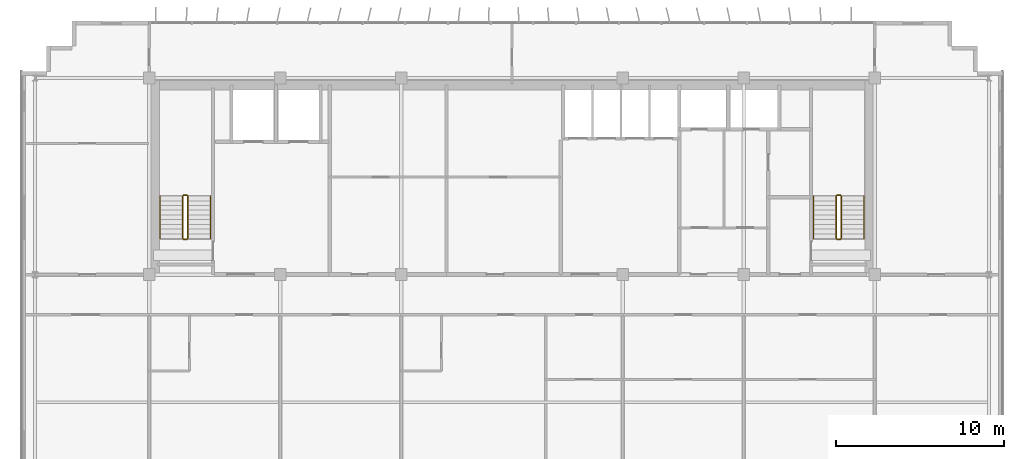
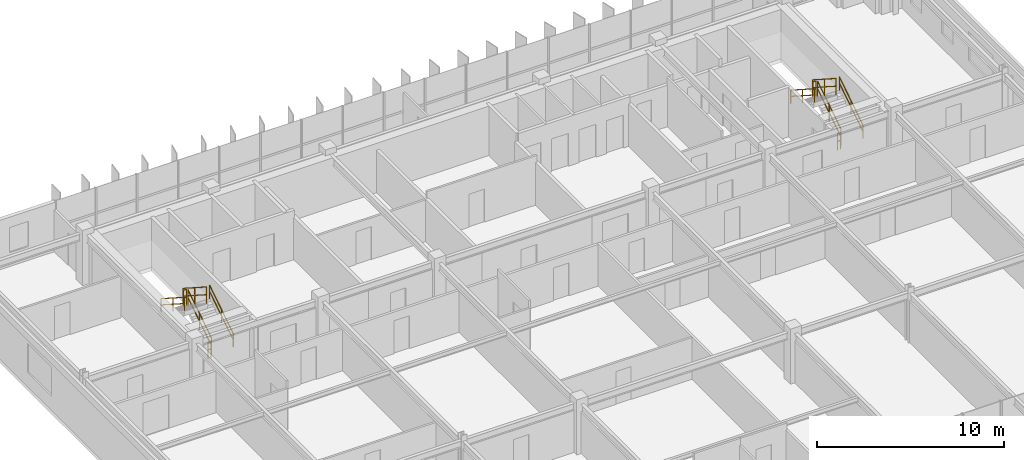
# One storey, part 27 of 27: 12 railings.
"""IFC4 building model written with IfcOpenShell, lengths in metres."""

from ifc_helpers import new_model, si_unit, direction, frame, origin, origin_2d, place, context, subcontext, project, spatial, rectangle, extrude, material, type_object, element, save


model = new_model("IFC4")

# Units and contexts
model_context = context("Model", 3, precision=1e-05, world=origin(), true_north=direction((0.0, 1.0)))
body_context = subcontext(model_context, "Body", "Model", "MODEL_VIEW")
ifc_project = project(units=[si_unit("LENGTHUNIT", "METRE"), si_unit("AREAUNIT", "SQUARE_METRE"), si_unit("VOLUMEUNIT", "CUBIC_METRE"), si_unit("PLANEANGLEUNIT", "RADIAN"), si_unit("MASSUNIT", "GRAM", prefix="KILO")], contexts=[model_context])

# Site, building, storey
site_placement = place(None, origin())
site = spatial("IfcSite", under=ifc_project, at=site_placement, CompositionType="ELEMENT")
building_placement = place(site_placement, origin())
building = spatial("IfcBuilding", under=site, at=building_placement, Name="Trelvane Seafront Commons", CompositionType="ELEMENT")
storey_placement = place(building_placement, frame((0.0, 0.0, 237.300048828125)))
storey = spatial("IfcBuildingStorey", under=building, at=storey_placement, Name="L62", CompositionType="ELEMENT", Elevation=237.300048828125)

# Railings
ifc_material = material(Name="Stainless steel balustrade", Category="steel")
railing_type_1 = type_object("IfcRailingType", Name="ARCH-SRL-GUARD", PredefinedType="GUARDRAIL", material=ifc_material)
railing_1_placement = place(storey_placement, frame((17.89990234375, 35.550048828125, 0.179931640625)))
element("IfcRailing", 1, at=railing_1_placement, inside=storey, type_object=railing_type_1, Name="L62 ST-1 stair guard 1", PredefinedType="GUARDRAIL", context=body_context, shape_type="SweptSolid", body=[
    extrude(rectangle(XDim=0.048095703125, YDim=0.048095703125, at=origin_2d()), frame((0.0, 0.0, 1.076171875), z_axis=(0.0, 0.841162588446, 0.540782303519), x_axis=(-1.0, 0.0, 0.0)), (0.0, 0.0, 1.0), 2.995849609375),
    extrude(rectangle(XDim=0.048095703125, YDim=0.048095703125, at=origin_2d()), frame((0.0, 0.0, 0.572021484375), z_axis=(0.0, 0.841162588446, 0.540782303519), x_axis=(-1.0, 0.0, 0.0)), (0.0, 0.0, 1.0), 2.995849609375),
    extrude(rectangle(XDim=0.0419921875, YDim=0.0419921875, at=origin_2d()), origin(), (0.0, 0.0, 1.0), 1.076171875),
    extrude(rectangle(XDim=0.0419921875, YDim=0.0419921875, at=origin_2d()), frame((0.0, 1.260009765625, 0.81005859375)), (0.0, 0.0, 1.0), 1.076171875),
    extrude(rectangle(XDim=0.0419921875, YDim=0.0419921875, at=origin_2d()), frame((0.0, 2.52001953125, 1.6201171875)), (0.0, 0.0, 1.0), 1.076171875),
])
railing_2_placement = place(storey_placement, frame((17.85009765625, 38.1201171875, 1.800048828125)))
element("IfcRailing", 2, at=railing_2_placement, inside=storey, type_object=railing_type_1, Name="L62 ST-1 stair guard 2", PredefinedType="GUARDRAIL", context=body_context, shape_type="SweptSolid", body=[
    extrude(rectangle(XDim=0.048095703125, YDim=0.048095703125, at=origin_2d()), frame((0.0, 0.0, 1.076171875), z_axis=(-1.0, 0.0, 0.0), x_axis=(0.0, -1.0, 0.0)), (0.0, 0.0, 1.0), 0.2001953125),
    extrude(rectangle(XDim=0.048095703125, YDim=0.048095703125, at=origin_2d()), frame((0.0, 0.0, 0.572021484375), z_axis=(-1.0, 0.0, 0.0), x_axis=(0.0, -1.0, 0.0)), (0.0, 0.0, 1.0), 0.2001953125),
    extrude(rectangle(XDim=0.0419921875, YDim=0.0419921875, at=origin_2d()), origin(), (0.0, 0.0, 1.0), 1.076171875),
    extrude(rectangle(XDim=0.0419921875, YDim=0.0419921875, at=origin_2d()), frame((-0.2001953125, 0.0, 0.0)), (0.0, 0.0, 1.0), 1.076171875),
])
railing_3_placement = place(storey_placement, frame((17.60009765625, 38.070068359375, 1.97998046875)))
element("IfcRailing", 3, at=railing_3_placement, inside=storey, type_object=railing_type_1, Name="L62 ST-1 stair guard 3", PredefinedType="GUARDRAIL", context=body_context, shape_type="SweptSolid", body=[
    extrude(rectangle(XDim=0.048095703125, YDim=0.048095703125, at=origin_2d()), frame((0.0, 0.0, 1.076171875), z_axis=(0.0, -0.841199657755, 0.540724639528), x_axis=(1.0, 0.0, 0.0)), (0.0, 0.0, 1.0), 2.995849609375),
    extrude(rectangle(XDim=0.048095703125, YDim=0.048095703125, at=origin_2d()), frame((0.0, 0.0, 0.572021484375), z_axis=(0.0, -0.841199657755, 0.540724639528), x_axis=(1.0, 0.0, 0.0)), (0.0, 0.0, 1.0), 2.995849609375),
    extrude(rectangle(XDim=0.0419921875, YDim=0.0419921875, at=origin_2d()), origin(), (0.0, 0.0, 1.0), 1.076171875),
    extrude(rectangle(XDim=0.0419921875, YDim=0.0419921875, at=origin_2d()), frame((0.0, -1.260009765625, 0.81005859375)), (0.0, 0.0, 1.0), 1.076171875),
    extrude(rectangle(XDim=0.0419921875, YDim=0.0419921875, at=origin_2d()), frame((0.0, -2.52001953125, 1.619873046875)), (0.0, 0.0, 1.0), 1.076171875),
])
railing_4_placement = place(storey_placement, frame((17.85009765625, 35.5, 0.0)))
element("IfcRailing", 4, at=railing_4_placement, inside=storey, type_object=railing_type_1, Name="L62 ST-1 stair guard 4", PredefinedType="GUARDRAIL", context=body_context, shape_type="SweptSolid", body=[
    extrude(rectangle(XDim=0.048095703125, YDim=0.048095703125, at=origin_2d()), frame((0.0, 0.0, 1.076171875), z_axis=(-1.0, 0.0, 0.0), x_axis=(0.0, -1.0, 0.0)), (0.0, 0.0, 1.0), 0.2001953125),
    extrude(rectangle(XDim=0.048095703125, YDim=0.048095703125, at=origin_2d()), frame((0.0, 0.0, 0.572021484375), z_axis=(-1.0, 0.0, 0.0), x_axis=(0.0, -1.0, 0.0)), (0.0, 0.0, 1.0), 0.2001953125),
    extrude(rectangle(XDim=0.0419921875, YDim=0.0419921875, at=origin_2d()), origin(), (0.0, 0.0, 1.0), 1.076171875),
    extrude(rectangle(XDim=0.0419921875, YDim=0.0419921875, at=origin_2d()), frame((-0.2001953125, 0.0, 0.0)), (0.0, 0.0, 1.0), 1.076171875),
])
railing_5_placement = place(storey_placement, frame((56.800048828125, 35.550048828125, 0.179931640625)))
element("IfcRailing", 5, at=railing_5_placement, inside=storey, type_object=railing_type_1, Name="L62 ST-2 stair guard 1", PredefinedType="GUARDRAIL", context=body_context, shape_type="SweptSolid", body=[
    extrude(rectangle(XDim=0.048095703125, YDim=0.048095703125, at=origin_2d()), frame((0.0, 0.0, 1.076171875), z_axis=(0.0, 0.841162588446, 0.540782303519), x_axis=(-1.0, 0.0, 0.0)), (0.0, 0.0, 1.0), 2.995849609375),
    extrude(rectangle(XDim=0.048095703125, YDim=0.048095703125, at=origin_2d()), frame((0.0, 0.0, 0.572021484375), z_axis=(0.0, 0.841162588446, 0.540782303519), x_axis=(-1.0, 0.0, 0.0)), (0.0, 0.0, 1.0), 2.995849609375),
    extrude(rectangle(XDim=0.0419921875, YDim=0.0419921875, at=origin_2d()), origin(), (0.0, 0.0, 1.0), 1.076171875),
    extrude(rectangle(XDim=0.0419921875, YDim=0.0419921875, at=origin_2d()), frame((0.0, 1.260009765625, 0.81005859375)), (0.0, 0.0, 1.0), 1.076171875),
    extrude(rectangle(XDim=0.0419921875, YDim=0.0419921875, at=origin_2d()), frame((0.0, 2.52001953125, 1.6201171875)), (0.0, 0.0, 1.0), 1.076171875),
])
railing_6_placement = place(storey_placement, frame((56.75, 38.1201171875, 1.800048828125)))
element("IfcRailing", 6, at=railing_6_placement, inside=storey, type_object=railing_type_1, Name="L62 ST-2 stair guard 2", PredefinedType="GUARDRAIL", context=body_context, shape_type="SweptSolid", body=[
    extrude(rectangle(XDim=0.048095703125, YDim=0.048095703125, at=origin_2d()), frame((0.0, 0.0, 1.076171875), z_axis=(-1.0, 0.0, 0.0), x_axis=(0.0, -1.0, 0.0)), (0.0, 0.0, 1.0), 0.199951171875),
    extrude(rectangle(XDim=0.048095703125, YDim=0.048095703125, at=origin_2d()), frame((0.0, 0.0, 0.572021484375), z_axis=(-1.0, 0.0, 0.0), x_axis=(0.0, -1.0, 0.0)), (0.0, 0.0, 1.0), 0.199951171875),
    extrude(rectangle(XDim=0.0419921875, YDim=0.0419921875, at=origin_2d()), origin(), (0.0, 0.0, 1.0), 1.076171875),
    extrude(rectangle(XDim=0.0419921875, YDim=0.0419921875, at=origin_2d()), frame((-0.199951171875, 0.0, 0.0)), (0.0, 0.0, 1.0), 1.076171875),
])
railing_7_placement = place(storey_placement, frame((56.5, 38.070068359375, 1.97998046875)))
element("IfcRailing", 7, at=railing_7_placement, inside=storey, type_object=railing_type_1, Name="L62 ST-2 stair guard 3", PredefinedType="GUARDRAIL", context=body_context, shape_type="SweptSolid", body=[
    extrude(rectangle(XDim=0.048095703125, YDim=0.048095703125, at=origin_2d()), frame((0.0, 0.0, 1.076171875), z_axis=(0.0, -0.841199657755, 0.540724639528), x_axis=(1.0, 0.0, 0.0)), (0.0, 0.0, 1.0), 2.995849609375),
    extrude(rectangle(XDim=0.048095703125, YDim=0.048095703125, at=origin_2d()), frame((0.0, 0.0, 0.572021484375), z_axis=(0.0, -0.841199657755, 0.540724639528), x_axis=(1.0, 0.0, 0.0)), (0.0, 0.0, 1.0), 2.995849609375),
    extrude(rectangle(XDim=0.0419921875, YDim=0.0419921875, at=origin_2d()), origin(), (0.0, 0.0, 1.0), 1.076171875),
    extrude(rectangle(XDim=0.0419921875, YDim=0.0419921875, at=origin_2d()), frame((0.0, -1.260009765625, 0.81005859375)), (0.0, 0.0, 1.0), 1.076171875),
    extrude(rectangle(XDim=0.0419921875, YDim=0.0419921875, at=origin_2d()), frame((0.0, -2.52001953125, 1.619873046875)), (0.0, 0.0, 1.0), 1.076171875),
])
railing_8_placement = place(storey_placement, frame((56.75, 35.5, 0.0)))
element("IfcRailing", 8, at=railing_8_placement, inside=storey, type_object=railing_type_1, Name="L62 ST-2 stair guard 4", PredefinedType="GUARDRAIL", context=body_context, shape_type="SweptSolid", body=[
    extrude(rectangle(XDim=0.048095703125, YDim=0.048095703125, at=origin_2d()), frame((0.0, 0.0, 1.076171875), z_axis=(-1.0, 0.0, 0.0), x_axis=(0.0, -1.0, 0.0)), (0.0, 0.0, 1.0), 0.199951171875),
    extrude(rectangle(XDim=0.048095703125, YDim=0.048095703125, at=origin_2d()), frame((0.0, 0.0, 0.572021484375), z_axis=(-1.0, 0.0, 0.0), x_axis=(0.0, -1.0, 0.0)), (0.0, 0.0, 1.0), 0.199951171875),
    extrude(rectangle(XDim=0.0419921875, YDim=0.0419921875, at=origin_2d()), origin(), (0.0, 0.0, 1.0), 1.076171875),
    extrude(rectangle(XDim=0.0419921875, YDim=0.0419921875, at=origin_2d()), frame((-0.199951171875, 0.0, 0.0)), (0.0, 0.0, 1.0), 1.076171875),
])
railing_type_2 = type_object("IfcRailingType", Name="ARCH-SRL-HAND", PredefinedType="HANDRAIL", material=ifc_material)
railing_9_placement = place(storey_placement, frame((19.25, 35.550048828125, 0.179931640625)))
element("IfcRailing", 9, at=railing_9_placement, inside=storey, type_object=railing_type_2, Name="L62 ST-1 stair handrail 1", PredefinedType="HANDRAIL", context=body_context, shape_type="SweptSolid", body=[
    extrude(rectangle(XDim=0.048095703125, YDim=0.048095703125, at=origin_2d()), frame((0.0, 0.0, 0.8759765625), z_axis=(0.0, 0.841162588446, 0.540782303519), x_axis=(-1.0, 0.0, 0.0)), (0.0, 0.0, 1.0), 2.995849609375),
    extrude(rectangle(XDim=0.048095703125, YDim=0.048095703125, at=origin_2d()), frame((0.0, 0.0, 0.468017578125), z_axis=(0.0, 0.841162588446, 0.540782303519), x_axis=(-1.0, 0.0, 0.0)), (0.0, 0.0, 1.0), 2.995849609375),
    extrude(rectangle(XDim=0.0419921875, YDim=0.0419921875, at=origin_2d()), origin(), (0.0, 0.0, 1.0), 0.8759765625),
    extrude(rectangle(XDim=0.0419921875, YDim=0.0419921875, at=origin_2d()), frame((0.0, 1.260009765625, 0.81005859375)), (0.0, 0.0, 1.0), 0.8759765625),
    extrude(rectangle(XDim=0.0419921875, YDim=0.0419921875, at=origin_2d()), frame((0.0, 2.52001953125, 1.6201171875)), (0.0, 0.0, 1.0), 0.8759765625),
])
railing_10_placement = place(storey_placement, frame((16.25, 38.070068359375, 1.97998046875)))
element("IfcRailing", 10, at=railing_10_placement, inside=storey, type_object=railing_type_2, Name="L62 ST-1 stair handrail 2", PredefinedType="HANDRAIL", context=body_context, shape_type="SweptSolid", body=[
    extrude(rectangle(XDim=0.048095703125, YDim=0.048095703125, at=origin_2d()), frame((0.0, 0.0, 0.8759765625), z_axis=(0.0, -0.841199657755, 0.540724639528), x_axis=(1.0, 0.0, 0.0)), (0.0, 0.0, 1.0), 2.995849609375),
    extrude(rectangle(XDim=0.048095703125, YDim=0.048095703125, at=origin_2d()), frame((0.0, 0.0, 0.468017578125), z_axis=(0.0, -0.841199657755, 0.540724639528), x_axis=(1.0, 0.0, 0.0)), (0.0, 0.0, 1.0), 2.995849609375),
    extrude(rectangle(XDim=0.0419921875, YDim=0.0419921875, at=origin_2d()), origin(), (0.0, 0.0, 1.0), 0.8759765625),
    extrude(rectangle(XDim=0.0419921875, YDim=0.0419921875, at=origin_2d()), frame((0.0, -1.260009765625, 0.81005859375)), (0.0, 0.0, 1.0), 0.8759765625),
    extrude(rectangle(XDim=0.0419921875, YDim=0.0419921875, at=origin_2d()), frame((0.0, -2.52001953125, 1.619873046875)), (0.0, 0.0, 1.0), 0.8759765625),
])
railing_11_placement = place(storey_placement, frame((58.14990234375, 35.550048828125, 0.179931640625)))
element("IfcRailing", 11, at=railing_11_placement, inside=storey, type_object=railing_type_2, Name="L62 ST-2 stair handrail 1", PredefinedType="HANDRAIL", context=body_context, shape_type="SweptSolid", body=[
    extrude(rectangle(XDim=0.048095703125, YDim=0.048095703125, at=origin_2d()), frame((0.0, 0.0, 0.8759765625), z_axis=(0.0, 0.841162588446, 0.540782303519), x_axis=(-1.0, 0.0, 0.0)), (0.0, 0.0, 1.0), 2.995849609375),
    extrude(rectangle(XDim=0.048095703125, YDim=0.048095703125, at=origin_2d()), frame((0.0, 0.0, 0.468017578125), z_axis=(0.0, 0.841162588446, 0.540782303519), x_axis=(-1.0, 0.0, 0.0)), (0.0, 0.0, 1.0), 2.995849609375),
    extrude(rectangle(XDim=0.0419921875, YDim=0.0419921875, at=origin_2d()), origin(), (0.0, 0.0, 1.0), 0.8759765625),
    extrude(rectangle(XDim=0.0419921875, YDim=0.0419921875, at=origin_2d()), frame((0.0, 1.260009765625, 0.81005859375)), (0.0, 0.0, 1.0), 0.8759765625),
    extrude(rectangle(XDim=0.0419921875, YDim=0.0419921875, at=origin_2d()), frame((0.0, 2.52001953125, 1.6201171875)), (0.0, 0.0, 1.0), 0.8759765625),
])
railing_12_placement = place(storey_placement, frame((55.14990234375, 38.070068359375, 1.97998046875)))
element("IfcRailing", 12, at=railing_12_placement, inside=storey, type_object=railing_type_2, Name="L62 ST-2 stair handrail 2", PredefinedType="HANDRAIL", context=body_context, shape_type="SweptSolid", body=[
    extrude(rectangle(XDim=0.048095703125, YDim=0.048095703125, at=origin_2d()), frame((0.0, 0.0, 0.8759765625), z_axis=(0.0, -0.841199657755, 0.540724639528), x_axis=(1.0, 0.0, 0.0)), (0.0, 0.0, 1.0), 2.995849609375),
    extrude(rectangle(XDim=0.048095703125, YDim=0.048095703125, at=origin_2d()), frame((0.0, 0.0, 0.468017578125), z_axis=(0.0, -0.841199657755, 0.540724639528), x_axis=(1.0, 0.0, 0.0)), (0.0, 0.0, 1.0), 2.995849609375),
    extrude(rectangle(XDim=0.0419921875, YDim=0.0419921875, at=origin_2d()), origin(), (0.0, 0.0, 1.0), 0.8759765625),
    extrude(rectangle(XDim=0.0419921875, YDim=0.0419921875, at=origin_2d()), frame((0.0, -1.260009765625, 0.81005859375)), (0.0, 0.0, 1.0), 0.8759765625),
    extrude(rectangle(XDim=0.0419921875, YDim=0.0419921875, at=origin_2d()), frame((0.0, -2.52001953125, 1.619873046875)), (0.0, 0.0, 1.0), 0.8759765625),
])

save(model, "model.ifc")
